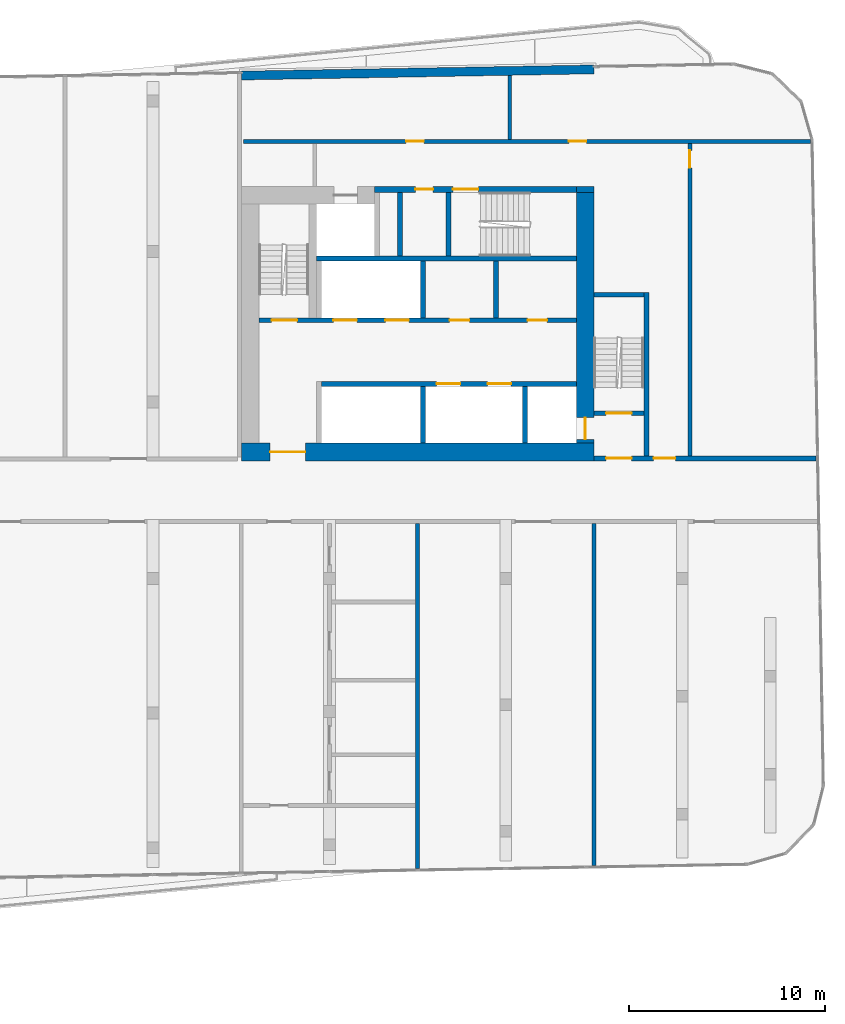
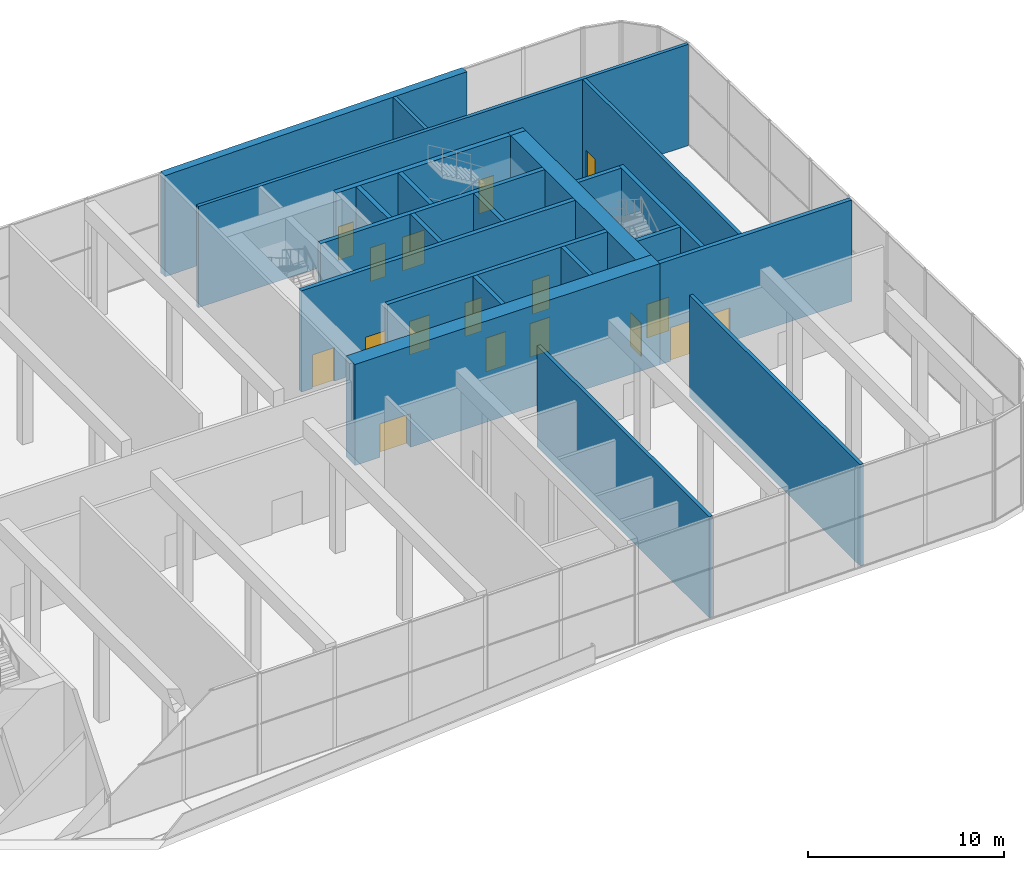
# One storey, part 15 of 24: 23 walls, 17 doors, 17 openings.
"""IFC4 building model written with IfcOpenShell, lengths in metres."""

from ifc_helpers import new_model, si_unit, direction, frame, frame_2d, origin, place, context, subcontext, project, spatial, rectangle, extrude, material, layer, layer_set, type_object, element, fill, save


model = new_model("IFC4")

# Units and contexts
model_context = context("Model", 3, precision=1e-05, world=origin(), true_north=direction((0.0, 1.0)))
body_context = subcontext(model_context, "Body", "Model", "MODEL_VIEW")
ifc_project = project(units=[si_unit("LENGTHUNIT", "METRE"), si_unit("AREAUNIT", "SQUARE_METRE"), si_unit("VOLUMEUNIT", "CUBIC_METRE"), si_unit("PLANEANGLEUNIT", "RADIAN"), si_unit("MASSUNIT", "GRAM", prefix="KILO")], contexts=[model_context])

# Site, building, storey
site_placement = place(None, origin())
site = spatial("IfcSite", under=ifc_project, at=site_placement, CompositionType="ELEMENT")
building_placement = place(site_placement, origin())
building = spatial("IfcBuilding", under=site, at=building_placement, Name="Kajstack Hotel Tower", CompositionType="ELEMENT")
storey_placement = place(building_placement, frame((0.0, 0.0, 211.10009765625)))
storey = spatial("IfcBuildingStorey", under=building, at=storey_placement, Name="L51", CompositionType="ELEMENT", Elevation=211.10009765625)

# Wall, opening, door
ifc_material_1 = material(Name="Concrete C60/75", Category="concrete")
ifc_layer_1 = layer(ifc_material_1, 0.89990234375)
ifc_layer_set_1 = layer_set([ifc_layer_1], Name="Core wall 900")
wall_type_1 = type_object("IfcWallType", Name="Core wall 900", PredefinedType="SHEAR", material=ifc_layer_set_1)
wall_1_placement = place(storey_placement, frame((13.5, 1.949951171875, 0.0), z_axis=(0.0, 0.0, 1.0), x_axis=(1.0, 0.0, 0.0)))
wall_1 = element("IfcWall", 1, at=wall_1_placement, inside=storey, type_object=wall_type_1, Name="Core wall E RN", PredefinedType="SHEAR", context=body_context, shape_type="SweptSolid", body=[
    extrude(rectangle(XDim=18.0, YDim=0.89990234375, at=frame_2d((9.0, 0.0))), origin(), (0.0, 0.0, 1.0), 6.31982421875),
])
opening_1_placement = place(wall_1_placement, frame((1.47509765625, 0.0, 0.0)))
opening_1 = element("IfcOpeningElement", 2, at=opening_1_placement, cuts=wall_1, Name="Opening 51E07", PredefinedType="OPENING", context=body_context, shape_type="SweptSolid", body=[
    extrude(rectangle(XDim=1.800048828125, YDim=2.10009765625, at=frame_2d((0.89990234375, 1.050048828125))), frame((0.0, 0.4599609375, 0.0), z_axis=(0.0, -1.0, 0.0), x_axis=(1.0, 0.0, 0.0)), (0.0, 0.0, 1.0), 0.919921875),
])
ifc_material_2 = material(Name="Glazed steel frame, fire-rated glass", Category="steel")
door_type_1 = type_object("IfcDoorType", Name="Lobby double door 1800", OperationType="DOUBLE_DOOR_DOUBLE_SWING", PredefinedType="DOOR", material=ifc_material_2)
door_1_placement = place(opening_1_placement, origin())
door_1 = element("IfcDoor", 3, at=door_1_placement, inside=storey, type_object=door_type_1, Name="Door 51E07", OperationType="DOUBLE_DOOR_DOUBLE_SWING", OverallHeight=2.10009765625, OverallWidth=1.800048828125, PredefinedType="DOOR", context=body_context, shape_type="SweptSolid", body=[
    extrude(rectangle(XDim=1.800048828125, YDim=2.10009765625, at=frame_2d((0.89990234375, 1.050048828125))), frame((0.0, 0.02490234375, 0.0), z_axis=(0.0, -1.0, 0.0), x_axis=(1.0, 0.0, 0.0)), (0.0, 0.0, 1.0), 0.050048828125),
])
fill(opening_1, door_1)

# Wall
wall_2_placement = place(storey_placement, frame((30.60009765625, 15.35009765625, 0.0), z_axis=(0.0, 0.0, 1.0), x_axis=(1.0, 0.0, 0.0)))
element("IfcWall", 4, at=wall_2_placement, inside=storey, type_object=wall_type_1, Name="Core wall E RSW", PredefinedType="SHEAR", context=body_context, shape_type="SweptSolid", body=[
    extrude(rectangle(XDim=0.89990234375, YDim=0.300048828125, at=frame_2d((0.449951171875, 0.0))), origin(), (0.0, 0.0, 1.0), 6.31982421875),
])

# Wall, opening, door
wall_3_placement = place(storey_placement, frame((31.050048828125, 2.39990234375, 0.0), z_axis=(0.0, 0.0, 1.0), x_axis=(0.0, 1.0, 0.0)))
wall_3 = element("IfcWall", 5, at=wall_3_placement, inside=storey, type_object=wall_type_1, Name="Core wall E RW", PredefinedType="SHEAR", context=body_context, shape_type="SweptSolid", body=[
    extrude(rectangle(XDim=12.800048828125, YDim=0.89990234375, at=frame_2d((6.39990234375, 0.0))), origin(), (0.0, 0.0, 1.0), 6.31982421875),
])
opening_2_placement = place(wall_3_placement, frame((0.199951171875, 0.0, 0.0)))
opening_2 = element("IfcOpeningElement", 6, at=opening_2_placement, cuts=wall_3, Name="Opening LD-FF2", PredefinedType="OPENING", context=body_context, shape_type="SweptSolid", body=[
    extrude(rectangle(XDim=1.10009765625, YDim=2.10009765625, at=frame_2d((0.550048828125, 1.050048828125))), frame((0.0, 0.4599609375, 0.0), z_axis=(0.0, -1.0, 0.0), x_axis=(1.0, 0.0, 0.0)), (0.0, 0.0, 1.0), 0.919921875),
])
ifc_material_3 = material(Name="Stainless steel", Category="steel")
door_type_2 = type_object("IfcDoorType", Name="Fire-fighting lift landing door 1100", OperationType="SLIDING_TO_LEFT", PredefinedType="DOOR", material=ifc_material_3)
door_2_placement = place(opening_2_placement, origin())
door_2 = element("IfcDoor", 7, at=door_2_placement, inside=storey, type_object=door_type_2, Name="Landing door FF2", OperationType="SLIDING_TO_LEFT", OverallHeight=2.10009765625, OverallWidth=1.10009765625, PredefinedType="DOOR", context=body_context, shape_type="SweptSolid", body=[
    extrude(rectangle(XDim=1.10009765625, YDim=2.10009765625, at=frame_2d((0.550048828125, 1.050048828125))), frame((0.0, 0.02490234375, 0.0), z_axis=(0.0, -1.0, 0.0), x_axis=(1.0, 0.0, 0.0)), (0.0, 0.0, 1.0), 0.050048828125),
])
fill(opening_2, door_2)

# Walls
ifc_material_4 = material(Name="Concrete C40/50", Category="concrete")
ifc_layer_2 = layer(ifc_material_4, 0.449951171875)
ifc_layer_set_2 = layer_set([ifc_layer_2], Name="EW-CORE")
wall_type_2 = type_object("IfcWallType", Name="EW-CORE", PredefinedType="SOLIDWALL", material=ifc_layer_set_2)
wall_4_placement = place(storey_placement, frame((31.50390625, 21.4755859375, 0.0), z_axis=(0.0, 0.0, 1.0), x_axis=(-0.999847677887, -0.017453395744, 0.0)))
element("IfcWall", 8, at=wall_4_placement, inside=storey, type_object=wall_type_2, Name="E-wall-L51-12-01", PredefinedType="SOLIDWALL", context=body_context, shape_type="SweptSolid", body=[
    extrude(rectangle(XDim=18.002685546875, YDim=0.449951171875, at=frame_2d((9.00146484375, 0.0))), origin(), (0.0, 0.0, 1.0), 6.31982421875),
])
ifc_material_5 = material(Name="Concrete C50/60", Category="concrete")
ifc_layer_3 = layer(ifc_material_5, 0.300048828125)
ifc_layer_set_3 = layer_set([ifc_layer_3], Name="Hoistway divider wall 300")
wall_type_3 = type_object("IfcWallType", Name="Hoistway divider wall 300", PredefinedType="SHEAR", material=ifc_layer_set_3)
wall_5_placement = place(storey_placement, frame((22.77490234375, 2.39990234375, 0.0), z_axis=(0.0, 0.0, 1.0), x_axis=(0.0, 1.0, 0.0)))
element("IfcWall", 9, at=wall_5_placement, inside=storey, type_object=wall_type_3, Name="Core wall E AP2", PredefinedType="SHEAR", context=body_context, shape_type="SweptSolid", body=[
    extrude(rectangle(XDim=2.900146484375, YDim=0.25, at=frame_2d((1.4501953125, 0.0))), origin(), (0.0, 0.0, 1.0), 6.31982421875),
])
wall_6_placement = place(storey_placement, frame((22.77490234375, 8.800048828125, 0.0), z_axis=(0.0, 0.0, 1.0), x_axis=(0.0, 1.0, 0.0)))
element("IfcWall", 10, at=wall_6_placement, inside=storey, type_object=wall_type_3, Name="Core wall E BP2", PredefinedType="SHEAR", context=body_context, shape_type="SweptSolid", body=[
    extrude(rectangle(XDim=2.89990234375, YDim=0.25, at=frame_2d((1.449951171875, 0.0))), origin(), (0.0, 0.0, 1.0), 6.31982421875),
])
ifc_material_6 = material(Name="Gypsum board on steel studs, mineral wool", Category="steel")
ifc_layer_4 = layer(ifc_material_6, 0.199951171875)
ifc_layer_set_4 = layer_set([ifc_layer_4], Name="Public partition 200")
wall_type_4 = type_object("IfcWallType", Name="Public partition 200", PredefinedType="PARTITIONING", material=ifc_layer_set_4)
wall_7_placement = place(storey_placement, frame((22.5, -19.312744140625, 0.0), z_axis=(0.0, 0.0, 1.0), x_axis=(0.0, 1.0, 0.0)))
element("IfcWall", 11, at=wall_7_placement, inside=storey, type_object=wall_type_4, Name="Partition SPX2", PredefinedType="PARTITIONING", context=body_context, shape_type="SweptSolid", body=[
    extrude(rectangle(XDim=17.61279296875, YDim=0.199951171875, at=frame_2d((8.806396484375, 0.0))), origin(), (0.0, 0.0, 1.0), 6.31982421875),
])
wall_8_placement = place(storey_placement, frame((31.5, -19.15576171875, 0.0), z_axis=(0.0, 0.0, 1.0), x_axis=(0.0, 1.0, 0.0)))
element("IfcWall", 12, at=wall_8_placement, inside=storey, type_object=wall_type_4, Name="Partition SPX3", PredefinedType="PARTITIONING", context=body_context, shape_type="SweptSolid", body=[
    extrude(rectangle(XDim=17.455810546875, YDim=0.199951171875, at=frame_2d((8.72802734375, 0.0))), origin(), (0.0, 0.0, 1.0), 6.31982421875),
])
ifc_material_7 = material(Name="Concrete block masonry", Category="masonry")
ifc_layer_5 = layer(ifc_material_7, 0.25)
ifc_layer_set_5 = layer_set([ifc_layer_5], Name="Riser partition 250")
wall_type_5 = type_object("IfcWallType", Name="Riser partition 250", PredefinedType="PARTITIONING", material=ifc_layer_set_5)
wall_9_placement = place(storey_placement, frame((26.5, 8.800048828125, 0.0), z_axis=(0.0, 0.0, 1.0), x_axis=(0.0, 1.0, 0.0)))
element("IfcWall", 13, at=wall_9_placement, inside=storey, type_object=wall_type_5, Name="Partition E BF0", PredefinedType="PARTITIONING", context=body_context, shape_type="SweptSolid", body=[
    extrude(rectangle(XDim=2.89990234375, YDim=0.25, at=frame_2d((1.449951171875, 0.0))), origin(), (0.0, 0.0, 1.0), 6.31982421875),
])
wall_10_placement = place(storey_placement, frame((21.60009765625, 11.949951171875, 0.0), z_axis=(0.0, 0.0, 1.0), x_axis=(0.0, 1.0, 0.0)))
element("IfcWall", 14, at=wall_10_placement, inside=storey, type_object=wall_type_5, Name="Partition E SZ0", PredefinedType="PARTITIONING", context=body_context, shape_type="SweptSolid", body=[
    extrude(rectangle(XDim=3.25, YDim=0.25, at=frame_2d((1.625, 0.0))), origin(), (0.0, 0.0, 1.0), 6.31982421875),
])

# Wall, openings, doors
ifc_layer_6 = layer(ifc_material_6, 0.199951171875)
ifc_layer_set_6 = layer_set([ifc_layer_6], Name="Service partition 200")
wall_type_6 = type_object("IfcWallType", Name="Service partition 200", PredefinedType="PARTITIONING", material=ifc_layer_set_6)
wall_11_placement = place(storey_placement, frame((31.5, 1.625, 0.0), z_axis=(0.0, 0.0, 1.0), x_axis=(1.0, 0.0, 0.0)))
wall_11 = element("IfcWall", 15, at=wall_11_placement, inside=storey, type_object=wall_type_6, Name="Partition E SN", PredefinedType="PARTITIONING", context=body_context, shape_type="SweptSolid", body=[
    extrude(rectangle(XDim=11.33984375, YDim=0.25, at=frame_2d((5.669921875, 0.0))), origin(), (0.0, 0.0, 1.0), 6.31982421875),
])
opening_3_placement = place(wall_11_placement, frame((0.625, 0.0, 0.0)))
opening_3 = element("IfcOpeningElement", 16, at=opening_3_placement, cuts=wall_11, Name="Opening 51E08", PredefinedType="OPENING", context=body_context, shape_type="SweptSolid", body=[
    extrude(rectangle(XDim=1.300048828125, YDim=2.10009765625, at=frame_2d((0.64990234375, 1.050048828125))), frame((0.0, 0.135009765625, 0.0), z_axis=(0.0, -1.0, 0.0), x_axis=(1.0, 0.0, 0.0)), (0.0, 0.0, 1.0), 0.27001953125),
])
opening_4_placement = place(wall_11_placement, frame((3.050048828125, 0.0, 0.0)))
opening_4 = element("IfcOpeningElement", 17, at=opening_4_placement, cuts=wall_11, Name="Opening 51E10", PredefinedType="OPENING", context=body_context, shape_type="SweptSolid", body=[
    extrude(rectangle(XDim=1.10009765625, YDim=2.10009765625, at=frame_2d((0.550048828125, 1.050048828125))), frame((0.0, 0.135009765625, 0.0), z_axis=(0.0, -1.0, 0.0), x_axis=(1.0, 0.0, 0.0)), (0.0, 0.0, 1.0), 0.27001953125),
])
ifc_material_8 = material(Name="Steel leaf, fire-rated", Category="steel")
door_type_3 = type_object("IfcDoorType", Name="Fire lobby door 1300", OperationType="SINGLE_SWING_LEFT", PredefinedType="DOOR", material=ifc_material_8)
door_3_placement = place(opening_3_placement, origin())
door_3 = element("IfcDoor", 18, at=door_3_placement, inside=storey, type_object=door_type_3, Name="Door 51E08", OperationType="SINGLE_SWING_LEFT", OverallHeight=2.10009765625, OverallWidth=1.300048828125, PredefinedType="DOOR", context=body_context, shape_type="SweptSolid", body=[
    extrude(rectangle(XDim=1.300048828125, YDim=2.10009765625, at=frame_2d((0.64990234375, 1.050048828125))), frame((0.0, 0.02490234375, 0.0), z_axis=(0.0, -1.0, 0.0), x_axis=(1.0, 0.0, 0.0)), (0.0, 0.0, 1.0), 0.050048828125),
])
fill(opening_3, door_3)
ifc_material_9 = material(Name="Timber leaf, fire-rated", Category="wood")
door_type_4 = type_object("IfcDoorType", Name="Service corridor door 1100", OperationType="SINGLE_SWING_LEFT", PredefinedType="DOOR", material=ifc_material_9)
door_4_placement = place(opening_4_placement, origin())
door_4 = element("IfcDoor", 19, at=door_4_placement, inside=storey, type_object=door_type_4, Name="Door 51E10", OperationType="SINGLE_SWING_LEFT", OverallHeight=2.10009765625, OverallWidth=1.10009765625, PredefinedType="DOOR", context=body_context, shape_type="SweptSolid", body=[
    extrude(rectangle(XDim=1.10009765625, YDim=2.10009765625, at=frame_2d((0.550048828125, 1.050048828125))), frame((0.0, 0.02490234375, 0.0), z_axis=(0.0, -1.0, 0.0), x_axis=(1.0, 0.0, 0.0)), (0.0, 0.0, 1.0), 0.050048828125),
])
fill(opening_4, door_4)

# Wall, opening, door
wall_12_placement = place(storey_placement, frame((36.39990234375, 1.75, 0.0), z_axis=(0.0, 0.0, 1.0), x_axis=(0.0, 1.0, 0.0)))
wall_12 = element("IfcWall", 20, at=wall_12_placement, inside=storey, type_object=wall_type_6, Name="Partition E WRE", PredefinedType="PARTITIONING", context=body_context, shape_type="SweptSolid", body=[
    extrude(rectangle(XDim=15.949951171875, YDim=0.199951171875, at=frame_2d((7.97509765625, 0.0))), origin(), (0.0, 0.0, 1.0), 6.31982421875),
])
opening_5_placement = place(wall_12_placement, frame((14.699951171875, 0.0, 0.0)))
opening_5 = element("IfcOpeningElement", 21, at=opening_5_placement, cuts=wall_12, Name="Opening 51E18", PredefinedType="OPENING", context=body_context, shape_type="SweptSolid", body=[
    extrude(rectangle(XDim=0.89990234375, YDim=2.10009765625, at=frame_2d((0.449951171875, 1.050048828125))), frame((0.0, 0.10986328125, 0.0), z_axis=(0.0, -1.0, 0.0), x_axis=(1.0, 0.0, 0.0)), (0.0, 0.0, 1.0), 0.219970703125),
])
door_type_5 = type_object("IfcDoorType", Name="Service door 900", OperationType="SINGLE_SWING_LEFT", PredefinedType="DOOR", material=ifc_material_9)
door_5_placement = place(opening_5_placement, origin())
door_5 = element("IfcDoor", 22, at=door_5_placement, inside=storey, type_object=door_type_5, Name="Door 51E18", OperationType="SINGLE_SWING_RIGHT", OverallHeight=2.10009765625, OverallWidth=0.89990234375, PredefinedType="DOOR", context=body_context, shape_type="SweptSolid", body=[
    extrude(rectangle(XDim=0.89990234375, YDim=2.10009765625, at=frame_2d((0.449951171875, 1.050048828125))), frame((0.0, 0.02490234375, 0.0), z_axis=(0.0, -1.0, 0.0), x_axis=(1.0, 0.0, 0.0)), (0.0, 0.0, 1.0), 0.050048828125),
])
fill(opening_5, door_5)

# Wall, openings, doors
wall_13_placement = place(storey_placement, frame((13.60009765625, 17.800048828125, 0.0), z_axis=(0.0, 0.0, 1.0), x_axis=(1.0, 0.0, 0.0)))
wall_13 = element("IfcWall", 23, at=wall_13_placement, inside=storey, type_object=wall_type_6, Name="Partition E SLN", PredefinedType="PARTITIONING", context=body_context, shape_type="SweptSolid", body=[
    extrude(rectangle(XDim=28.95751953125, YDim=0.199951171875, at=frame_2d((14.478759765625, 0.0))), origin(), (0.0, 0.0, 1.0), 6.31982421875),
])
opening_6_placement = place(wall_13_placement, frame((16.612548828125, 0.0, 0.0)))
opening_6 = element("IfcOpeningElement", 24, at=opening_6_placement, cuts=wall_13, Name="Opening 51E16", PredefinedType="OPENING", context=body_context, shape_type="SweptSolid", body=[
    extrude(rectangle(XDim=0.89990234375, YDim=2.10009765625, at=frame_2d((0.449951171875, 1.050048828125))), frame((0.0, 0.10986328125, 0.0), z_axis=(0.0, -1.0, 0.0), x_axis=(1.0, 0.0, 0.0)), (0.0, 0.0, 1.0), 0.219970703125),
])
opening_7_placement = place(wall_13_placement, frame((8.3125, 0.0, 0.0)))
opening_7 = element("IfcOpeningElement", 25, at=opening_7_placement, cuts=wall_13, Name="Opening 51E17", PredefinedType="OPENING", context=body_context, shape_type="SweptSolid", body=[
    extrude(rectangle(XDim=0.89990234375, YDim=2.10009765625, at=frame_2d((0.449951171875, 1.050048828125))), frame((0.0, 0.10986328125, 0.0), z_axis=(0.0, -1.0, 0.0), x_axis=(1.0, 0.0, 0.0)), (0.0, 0.0, 1.0), 0.219970703125),
])
door_6_placement = place(opening_6_placement, origin())
door_6 = element("IfcDoor", 26, at=door_6_placement, inside=storey, type_object=door_type_5, Name="Door 51E16", OperationType="SINGLE_SWING_LEFT", OverallHeight=2.10009765625, OverallWidth=0.89990234375, PredefinedType="DOOR", context=body_context, shape_type="SweptSolid", body=[
    extrude(rectangle(XDim=0.89990234375, YDim=2.10009765625, at=frame_2d((0.449951171875, 1.050048828125))), frame((0.0, 0.02490234375, 0.0), z_axis=(0.0, -1.0, 0.0), x_axis=(1.0, 0.0, 0.0)), (0.0, 0.0, 1.0), 0.050048828125),
])
fill(opening_6, door_6)
door_7_placement = place(opening_7_placement, origin())
door_7 = element("IfcDoor", 27, at=door_7_placement, inside=storey, type_object=door_type_5, Name="Door 51E17", OperationType="SINGLE_SWING_LEFT", OverallHeight=2.10009765625, OverallWidth=0.89990234375, PredefinedType="DOOR", context=body_context, shape_type="SweptSolid", body=[
    extrude(rectangle(XDim=0.89990234375, YDim=2.10009765625, at=frame_2d((0.449951171875, 1.050048828125))), frame((0.0, 0.02490234375, 0.0), z_axis=(0.0, -1.0, 0.0), x_axis=(1.0, 0.0, 0.0)), (0.0, 0.0, 1.0), 0.050048828125),
])
fill(opening_7, door_7)

# Wall
wall_14_placement = place(storey_placement, frame((27.199951171875, 17.89990234375, 0.0), z_axis=(0.0, 0.0, 1.0), x_axis=(0.0, 1.0, 0.0)))
element("IfcWall", 28, at=wall_14_placement, inside=storey, type_object=wall_type_6, Name="Partition E SLP0", PredefinedType="PARTITIONING", context=body_context, shape_type="SweptSolid", body=[
    extrude(rectangle(XDim=3.27587890625, YDim=0.199951171875, at=frame_2d((1.637939453125, 0.0))), origin(), (0.0, 0.0, 1.0), 6.31982421875),
])

# Wall, openings, doors
ifc_layer_7 = layer(ifc_material_5, 0.25)
ifc_layer_set_7 = layer_set([ifc_layer_7], Name="Shaft wall 250")
wall_type_7 = type_object("IfcWallType", Name="Shaft wall 250", PredefinedType="SHEAR", material=ifc_layer_set_7)
wall_15_placement = place(storey_placement, frame((20.300048828125, 15.35009765625, 0.0), z_axis=(0.0, 0.0, 1.0), x_axis=(1.0, 0.0, 0.0)))
wall_15 = element("IfcWall", 29, at=wall_15_placement, inside=storey, type_object=wall_type_7, Name="Core wall E RSS", PredefinedType="SHEAR", context=body_context, shape_type="SweptSolid", body=[
    extrude(rectangle(XDim=10.300048828125, YDim=0.300048828125, at=frame_2d((5.14990234375, 0.0))), origin(), (0.0, 0.0, 1.0), 6.31982421875),
])
opening_8_placement = place(wall_15_placement, frame((4.0, 0.0, 0.0)))
opening_8 = element("IfcOpeningElement", 30, at=opening_8_placement, cuts=wall_15, Name="Opening 51E12", PredefinedType="OPENING", context=body_context, shape_type="SweptSolid", body=[
    extrude(rectangle(XDim=1.300048828125, YDim=2.10009765625, at=frame_2d((0.64990234375, 1.050048828125))), frame((0.0, 0.159912109375, 0.0), z_axis=(0.0, -1.0, 0.0), x_axis=(1.0, 0.0, 0.0)), (0.0, 0.0, 1.0), 0.320068359375),
])
opening_9_placement = place(wall_15_placement, frame((2.08740234375, 0.0, 0.0)))
opening_9 = element("IfcOpeningElement", 31, at=opening_9_placement, cuts=wall_15, Name="Opening 51E13", PredefinedType="OPENING", context=body_context, shape_type="SweptSolid", body=[
    extrude(rectangle(XDim=0.89990234375, YDim=2.10009765625, at=frame_2d((0.449951171875, 1.050048828125))), frame((0.0, 0.159912109375, 0.0), z_axis=(0.0, -1.0, 0.0), x_axis=(1.0, 0.0, 0.0)), (0.0, 0.0, 1.0), 0.320068359375),
])
door_8_placement = place(opening_9_placement, origin())
door_8 = element("IfcDoor", 32, at=door_8_placement, inside=storey, type_object=door_type_5, Name="Door 51E13", OperationType="SINGLE_SWING_RIGHT", OverallHeight=2.10009765625, OverallWidth=0.89990234375, PredefinedType="DOOR", context=body_context, shape_type="SweptSolid", body=[
    extrude(rectangle(XDim=0.89990234375, YDim=2.10009765625, at=frame_2d((0.449951171875, 1.050048828125))), frame((0.0, 0.02490234375, 0.0), z_axis=(0.0, -1.0, 0.0), x_axis=(1.0, 0.0, 0.0)), (0.0, 0.0, 1.0), 0.050048828125),
])
fill(opening_9, door_8)
door_type_6 = type_object("IfcDoorType", Name="Stair door 1300", OperationType="SINGLE_SWING_LEFT", PredefinedType="DOOR", material=ifc_material_8)
door_9_placement = place(opening_8_placement, origin())
door_9 = element("IfcDoor", 33, at=door_9_placement, inside=storey, type_object=door_type_6, Name="Door 51E12", OperationType="SINGLE_SWING_LEFT", OverallHeight=2.10009765625, OverallWidth=1.300048828125, PredefinedType="DOOR", context=body_context, shape_type="SweptSolid", body=[
    extrude(rectangle(XDim=1.300048828125, YDim=2.10009765625, at=frame_2d((0.64990234375, 1.050048828125))), frame((0.0, 0.02490234375, 0.0), z_axis=(0.0, -1.0, 0.0), x_axis=(1.0, 0.0, 0.0)), (0.0, 0.0, 1.0), 0.050048828125),
])
fill(opening_8, door_9)

wall_16_placement = place(storey_placement, frame((17.60009765625, 5.425048828125, 0.0), z_axis=(0.0, 0.0, 1.0), x_axis=(1.0, 0.0, 0.0)))
wall_16 = element("IfcWall", 34, at=wall_16_placement, inside=storey, type_object=wall_type_7, Name="Core wall E FA", PredefinedType="SHEAR", context=body_context, shape_type="SweptSolid", body=[
    extrude(rectangle(XDim=13.0, YDim=0.25, at=frame_2d((6.5, 0.0))), origin(), (0.0, 0.0, 1.0), 6.31982421875),
])
opening_10_placement = place(wall_16_placement, frame((8.47509765625, 0.0, 0.0)))
opening_10 = element("IfcOpeningElement", 35, at=opening_10_placement, cuts=wall_16, Name="Opening LD-MR7", PredefinedType="OPENING", context=body_context, shape_type="SweptSolid", body=[
    extrude(rectangle(XDim=1.199951171875, YDim=2.10009765625, at=frame_2d((0.60009765625, 1.050048828125))), frame((0.0, 0.135009765625, 0.0), z_axis=(0.0, -1.0, 0.0), x_axis=(1.0, 0.0, 0.0)), (0.0, 0.0, 1.0), 0.27001953125),
])
opening_11_placement = place(wall_16_placement, frame((5.875, 0.0, 0.0)))
opening_11 = element("IfcOpeningElement", 36, at=opening_11_placement, cuts=wall_16, Name="Opening LD-MR8", PredefinedType="OPENING", context=body_context, shape_type="SweptSolid", body=[
    extrude(rectangle(XDim=1.199951171875, YDim=2.10009765625, at=frame_2d((0.60009765625, 1.050048828125))), frame((0.0, 0.135009765625, 0.0), z_axis=(0.0, -1.0, 0.0), x_axis=(1.0, 0.0, 0.0)), (0.0, 0.0, 1.0), 0.27001953125),
])
door_type_7 = type_object("IfcDoorType", Name="Lift landing door 1200", OperationType="SLIDING_TO_LEFT", PredefinedType="DOOR", material=ifc_material_3)
door_10_placement = place(opening_10_placement, origin())
door_10 = element("IfcDoor", 37, at=door_10_placement, inside=storey, type_object=door_type_7, Name="Landing door MR7", OperationType="SLIDING_TO_LEFT", OverallHeight=2.10009765625, OverallWidth=1.199951171875, PredefinedType="DOOR", context=body_context, shape_type="SweptSolid", body=[
    extrude(rectangle(XDim=1.199951171875, YDim=2.10009765625, at=frame_2d((0.60009765625, 1.050048828125))), frame((0.0, 0.02490234375, 0.0), z_axis=(0.0, -1.0, 0.0), x_axis=(1.0, 0.0, 0.0)), (0.0, 0.0, 1.0), 0.050048828125),
])
fill(opening_10, door_10)
door_11_placement = place(opening_11_placement, origin())
door_11 = element("IfcDoor", 38, at=door_11_placement, inside=storey, type_object=door_type_7, Name="Landing door MR8", OperationType="SLIDING_TO_RIGHT", OverallHeight=2.10009765625, OverallWidth=1.199951171875, PredefinedType="DOOR", context=body_context, shape_type="SweptSolid", body=[
    extrude(rectangle(XDim=1.199951171875, YDim=2.10009765625, at=frame_2d((0.60009765625, 1.050048828125))), frame((0.0, 0.02490234375, 0.0), z_axis=(0.0, -1.0, 0.0), x_axis=(1.0, 0.0, 0.0)), (0.0, 0.0, 1.0), 0.050048828125),
])
fill(opening_11, door_11)

# Wall
wall_17_placement = place(storey_placement, frame((27.97509765625, 2.39990234375, 0.0), z_axis=(0.0, 0.0, 1.0), x_axis=(0.0, 1.0, 0.0)))
element("IfcWall", 39, at=wall_17_placement, inside=storey, type_object=wall_type_7, Name="Core wall E AP0", PredefinedType="SHEAR", context=body_context, shape_type="SweptSolid", body=[
    extrude(rectangle(XDim=2.900146484375, YDim=0.25, at=frame_2d((1.4501953125, 0.0))), origin(), (0.0, 0.0, 1.0), 6.31982421875),
])

# Wall, openings, doors
wall_18_placement = place(storey_placement, frame((14.39990234375, 8.675048828125, 0.0), z_axis=(0.0, 0.0, 1.0), x_axis=(1.0, 0.0, 0.0)))
wall_18 = element("IfcWall", 40, at=wall_18_placement, inside=storey, type_object=wall_type_7, Name="Core wall E FB", PredefinedType="SHEAR", context=body_context, shape_type="SweptSolid", body=[
    extrude(rectangle(XDim=16.2001953125, YDim=0.25, at=frame_2d((8.10009765625, 0.0))), origin(), (0.0, 0.0, 1.0), 6.31982421875),
])
opening_12_placement = place(wall_18_placement, frame((6.449951171875, 0.0, 0.0)))
opening_12 = element("IfcOpeningElement", 41, at=opening_12_placement, cuts=wall_18, Name="Opening LD-MR5", PredefinedType="OPENING", context=body_context, shape_type="SweptSolid", body=[
    extrude(rectangle(XDim=1.199951171875, YDim=2.10009765625, at=frame_2d((0.60009765625, 1.050048828125))), frame((0.0, 0.135009765625, 0.0), z_axis=(0.0, -1.0, 0.0), x_axis=(1.0, 0.0, 0.0)), (0.0, 0.0, 1.0), 0.27001953125),
])
opening_13_placement = place(wall_18_placement, frame((3.800048828125, 0.0, 0.0)))
opening_13 = element("IfcOpeningElement", 42, at=opening_13_placement, cuts=wall_18, Name="Opening LD-MR6", PredefinedType="OPENING", context=body_context, shape_type="SweptSolid", body=[
    extrude(rectangle(XDim=1.199951171875, YDim=2.10009765625, at=frame_2d((0.60009765625, 1.050048828125))), frame((0.0, 0.135009765625, 0.0), z_axis=(0.0, -1.0, 0.0), x_axis=(1.0, 0.0, 0.0)), (0.0, 0.0, 1.0), 0.27001953125),
])
opening_14_placement = place(wall_18_placement, frame((0.64990234375, 0.0, 0.0)))
opening_14 = element("IfcOpeningElement", 43, at=opening_14_placement, cuts=wall_18, Name="Opening 51E11", PredefinedType="OPENING", context=body_context, shape_type="SweptSolid", body=[
    extrude(rectangle(XDim=1.300048828125, YDim=2.10009765625, at=frame_2d((0.64990234375, 1.050048828125))), frame((0.0, 0.135009765625, 0.0), z_axis=(0.0, -1.0, 0.0), x_axis=(1.0, 0.0, 0.0)), (0.0, 0.0, 1.0), 0.27001953125),
])
opening_15_placement = place(wall_18_placement, frame((13.71240234375, 0.0, 0.0)))
opening_15 = element("IfcOpeningElement", 44, at=opening_15_placement, cuts=wall_18, Name="Opening 51E14", PredefinedType="OPENING", context=body_context, shape_type="SweptSolid", body=[
    extrude(rectangle(XDim=1.0, YDim=2.10009765625, at=frame_2d((0.5, 1.050048828125))), frame((0.0, 0.135009765625, 0.0), z_axis=(0.0, -1.0, 0.0), x_axis=(1.0, 0.0, 0.0)), (0.0, 0.0, 1.0), 0.27001953125),
])
opening_16_placement = place(wall_18_placement, frame((9.737548828125, 0.0, 0.0)))
opening_16 = element("IfcOpeningElement", 45, at=opening_16_placement, cuts=wall_18, Name="Opening 51E15", PredefinedType="OPENING", context=body_context, shape_type="SweptSolid", body=[
    extrude(rectangle(XDim=1.0, YDim=2.10009765625, at=frame_2d((0.5, 1.050048828125))), frame((0.0, 0.135009765625, 0.0), z_axis=(0.0, -1.0, 0.0), x_axis=(1.0, 0.0, 0.0)), (0.0, 0.0, 1.0), 0.27001953125),
])
door_12_placement = place(opening_12_placement, origin())
door_12 = element("IfcDoor", 46, at=door_12_placement, inside=storey, type_object=door_type_7, Name="Landing door MR5", OperationType="SLIDING_TO_LEFT", OverallHeight=2.10009765625, OverallWidth=1.199951171875, PredefinedType="DOOR", context=body_context, shape_type="SweptSolid", body=[
    extrude(rectangle(XDim=1.199951171875, YDim=2.10009765625, at=frame_2d((0.60009765625, 1.050048828125))), frame((0.0, 0.02490234375, 0.0), z_axis=(0.0, -1.0, 0.0), x_axis=(1.0, 0.0, 0.0)), (0.0, 0.0, 1.0), 0.050048828125),
])
fill(opening_12, door_12)
door_13_placement = place(opening_13_placement, origin())
door_13 = element("IfcDoor", 47, at=door_13_placement, inside=storey, type_object=door_type_7, Name="Landing door MR6", OperationType="SLIDING_TO_RIGHT", OverallHeight=2.10009765625, OverallWidth=1.199951171875, PredefinedType="DOOR", context=body_context, shape_type="SweptSolid", body=[
    extrude(rectangle(XDim=1.199951171875, YDim=2.10009765625, at=frame_2d((0.60009765625, 1.050048828125))), frame((0.0, 0.02490234375, 0.0), z_axis=(0.0, -1.0, 0.0), x_axis=(1.0, 0.0, 0.0)), (0.0, 0.0, 1.0), 0.050048828125),
])
fill(opening_13, door_13)
door_type_8 = type_object("IfcDoorType", Name="Service room door 1000", OperationType="SINGLE_SWING_LEFT", PredefinedType="DOOR", material=ifc_material_9)
door_14_placement = place(opening_15_placement, origin())
door_14 = element("IfcDoor", 48, at=door_14_placement, inside=storey, type_object=door_type_8, Name="Door 51E14", OperationType="SINGLE_SWING_LEFT", OverallHeight=2.10009765625, OverallWidth=1.0, PredefinedType="DOOR", context=body_context, shape_type="SweptSolid", body=[
    extrude(rectangle(XDim=1.0, YDim=2.10009765625, at=frame_2d((0.5, 1.050048828125))), frame((0.0, 0.02490234375, 0.0), z_axis=(0.0, -1.0, 0.0), x_axis=(1.0, 0.0, 0.0)), (0.0, 0.0, 1.0), 0.050048828125),
])
fill(opening_15, door_14)
door_15_placement = place(opening_16_placement, origin())
door_15 = element("IfcDoor", 49, at=door_15_placement, inside=storey, type_object=door_type_8, Name="Door 51E15", OperationType="SINGLE_SWING_LEFT", OverallHeight=2.10009765625, OverallWidth=1.0, PredefinedType="DOOR", context=body_context, shape_type="SweptSolid", body=[
    extrude(rectangle(XDim=1.0, YDim=2.10009765625, at=frame_2d((0.5, 1.050048828125))), frame((0.0, 0.02490234375, 0.0), z_axis=(0.0, -1.0, 0.0), x_axis=(1.0, 0.0, 0.0)), (0.0, 0.0, 1.0), 0.050048828125),
])
fill(opening_16, door_15)
door_16_placement = place(opening_14_placement, origin())
door_16 = element("IfcDoor", 50, at=door_16_placement, inside=storey, type_object=door_type_6, Name="Door 51E11", OperationType="SINGLE_SWING_LEFT", OverallHeight=2.10009765625, OverallWidth=1.300048828125, PredefinedType="DOOR", context=body_context, shape_type="SweptSolid", body=[
    extrude(rectangle(XDim=1.300048828125, YDim=2.10009765625, at=frame_2d((0.64990234375, 1.050048828125))), frame((0.0, 0.02490234375, 0.0), z_axis=(0.0, -1.0, 0.0), x_axis=(1.0, 0.0, 0.0)), (0.0, 0.0, 1.0), 0.050048828125),
])
fill(opening_14, door_16)

# Wall
wall_19_placement = place(storey_placement, frame((17.35009765625, 11.824951171875, 0.0), z_axis=(0.0, 0.0, 1.0), x_axis=(1.0, 0.0, 0.0)))
element("IfcWall", 51, at=wall_19_placement, inside=storey, type_object=wall_type_7, Name="Core wall E RB", PredefinedType="SHEAR", context=body_context, shape_type="SweptSolid", body=[
    extrude(rectangle(XDim=13.25, YDim=0.25, at=frame_2d((6.625, 0.0))), origin(), (0.0, 0.0, 1.0), 6.31982421875),
])

# Wall, opening, door
ifc_layer_8 = layer(ifc_material_4, 0.25)
ifc_layer_set_8 = layer_set([ifc_layer_8], Name="Stair enclosure wall 250")
wall_type_8 = type_object("IfcWallType", Name="Stair enclosure wall 250", PredefinedType="SHEAR", material=ifc_layer_set_8)
wall_20_placement = place(storey_placement, frame((31.5, 3.925048828125, 0.0), z_axis=(0.0, 0.0, 1.0), x_axis=(1.0, 0.0, 0.0)))
wall_20 = element("IfcWall", 52, at=wall_20_placement, inside=storey, type_object=wall_type_8, Name="Core wall E W1N", PredefinedType="SHEAR", context=body_context, shape_type="SweptSolid", body=[
    extrude(rectangle(XDim=2.550048828125, YDim=0.25, at=frame_2d((1.27490234375, 0.0))), origin(), (0.0, 0.0, 1.0), 6.31982421875),
])
opening_17_placement = place(wall_20_placement, frame((0.625, 0.0, 0.0)))
opening_17 = element("IfcOpeningElement", 53, at=opening_17_placement, cuts=wall_20, Name="Opening 51E09", PredefinedType="OPENING", context=body_context, shape_type="SweptSolid", body=[
    extrude(rectangle(XDim=1.300048828125, YDim=2.10009765625, at=frame_2d((0.64990234375, 1.050048828125))), frame((0.0, 0.135009765625, 0.0), z_axis=(0.0, -1.0, 0.0), x_axis=(1.0, 0.0, 0.0)), (0.0, 0.0, 1.0), 0.27001953125),
])
door_17_placement = place(opening_17_placement, origin())
door_17 = element("IfcDoor", 54, at=door_17_placement, inside=storey, type_object=door_type_6, Name="Door 51E09", OperationType="SINGLE_SWING_LEFT", OverallHeight=2.10009765625, OverallWidth=1.300048828125, PredefinedType="DOOR", context=body_context, shape_type="SweptSolid", body=[
    extrude(rectangle(XDim=1.300048828125, YDim=2.10009765625, at=frame_2d((0.64990234375, 1.050048828125))), frame((0.0, 0.02490234375, 0.0), z_axis=(0.0, -1.0, 0.0), x_axis=(1.0, 0.0, 0.0)), (0.0, 0.0, 1.0), 0.050048828125),
])
fill(opening_17, door_17)

# Walls
wall_21_placement = place(storey_placement, frame((34.175048828125, 1.75, 0.0), z_axis=(0.0, 0.0, 1.0), x_axis=(0.0, 1.0, 0.0)))
element("IfcWall", 55, at=wall_21_placement, inside=storey, type_object=wall_type_8, Name="Core wall E W1W", PredefinedType="SHEAR", context=body_context, shape_type="SweptSolid", body=[
    extrude(rectangle(XDim=8.35009765625, YDim=0.25, at=frame_2d((4.175048828125, 0.0))), origin(), (0.0, 0.0, 1.0), 6.31982421875),
])
wall_22_placement = place(storey_placement, frame((31.5, 9.97509765625, 0.0), z_axis=(0.0, 0.0, 1.0), x_axis=(1.0, 0.0, 0.0)))
element("IfcWall", 56, at=wall_22_placement, inside=storey, type_object=wall_type_8, Name="Core wall E W1S", PredefinedType="SHEAR", context=body_context, shape_type="SweptSolid", body=[
    extrude(rectangle(XDim=2.550048828125, YDim=0.25, at=frame_2d((1.27490234375, 0.0))), origin(), (0.0, 0.0, 1.0), 6.31982421875),
])
ifc_layer_9 = layer(ifc_material_5, 0.35009765625)
ifc_layer_set_9 = layer_set([ifc_layer_9], Name="Stair enclosure wall 350")
wall_type_9 = type_object("IfcWallType", Name="Stair enclosure wall 350", PredefinedType="SHEAR", material=ifc_layer_set_9)
wall_23_placement = place(storey_placement, frame((24.074951171875, 11.949951171875, 0.0), z_axis=(0.0, 0.0, 1.0), x_axis=(0.0, 1.0, 0.0)))
element("IfcWall", 57, at=wall_23_placement, inside=storey, type_object=wall_type_9, Name="Core wall E W3E", PredefinedType="SHEAR", context=body_context, shape_type="SweptSolid", body=[
    extrude(rectangle(XDim=3.25, YDim=0.25, at=frame_2d((1.625, 0.0))), origin(), (0.0, 0.0, 1.0), 6.31982421875),
])

save(model, "model.ifc")
